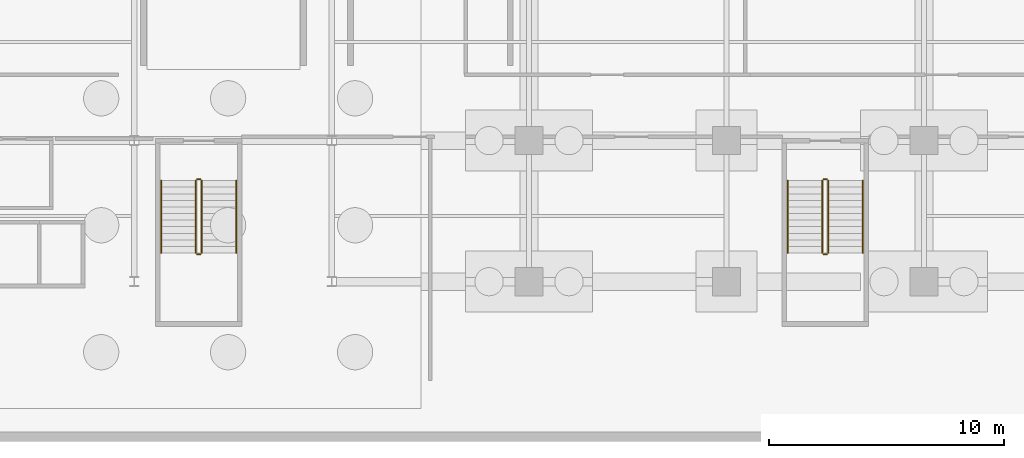
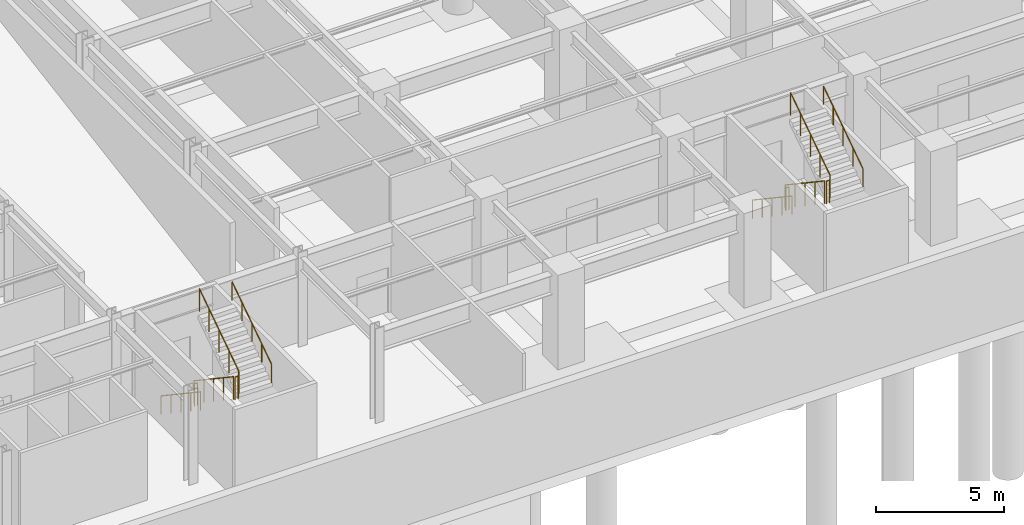
# One storey, part 13 of 14: 12 railings.
"""IFC4 building model written with IfcOpenShell, lengths in metres."""

from ifc_helpers import new_model, si_unit, direction, frame, origin, origin_2d, place, context, subcontext, project, spatial, circle, extrude, material, type_object, element, save


model = new_model("IFC4")

# Units and contexts
model_context = context("Model", 3, precision=1e-05, world=origin(), true_north=direction((0.0, 1.0)))
body_context = subcontext(model_context, "Body", "Model", "MODEL_VIEW")
ifc_project = project(units=[si_unit("LENGTHUNIT", "METRE"), si_unit("AREAUNIT", "SQUARE_METRE"), si_unit("VOLUMEUNIT", "CUBIC_METRE"), si_unit("PLANEANGLEUNIT", "RADIAN"), si_unit("MASSUNIT", "GRAM", prefix="KILO")], contexts=[model_context])

# Site, building, storey
site_placement = place(None, origin())
site = spatial("IfcSite", under=ifc_project, at=site_placement, CompositionType="ELEMENT")
building_placement = place(site_placement, origin())
building = spatial("IfcBuilding", under=site, at=building_placement, Name="Varnakote Quay Hospital", CompositionType="ELEMENT")
storey_placement = place(building_placement, frame((0.0, 0.0, -9.0)))
storey = spatial("IfcBuildingStorey", under=building, at=storey_placement, Name="B02", CompositionType="ELEMENT", Elevation=-9.0)

# Railings
ifc_material_1 = material(Name="Brushed stainless steel balustrade", Category="steel")
railing_type_1 = type_object("IfcRailingType", Name="RLG-STAIR-GUARD-1150", PredefinedType="GUARDRAIL", material=ifc_material_1)
railing_1_placement = place(storey_placement, frame((44.6298828125, 10.300048828125, 0.1875)))
element("IfcRailing", 1, at=railing_1_placement, inside=storey, type_object=railing_type_1, Name="B02 ST-03 stair guard 1", PredefinedType="GUARDRAIL", context=body_context, shape_type="SweptSolid", body=[
    extrude(circle(Radius=0.02392578125, at=origin_2d()), frame((0.0, 0.0, 1.076171875), z_axis=(0.0, -0.830913701846, 0.55640131208), x_axis=(1.0, 0.0, 0.0)), (0.0, 0.0, 1.0), 3.706787109375),
    extrude(circle(Radius=0.02099609375, at=origin_2d()), origin(), (0.0, 0.0, 1.0), 1.052001953125),
    extrude(circle(Radius=0.02099609375, at=origin_2d()), frame((0.0, -0.77001953125, 0.515625)), (0.0, 0.0, 1.0), 1.052001953125),
    extrude(circle(Radius=0.02099609375, at=origin_2d()), frame((0.0, -1.5400390625, 1.03125)), (0.0, 0.0, 1.0), 1.052001953125),
    extrude(circle(Radius=0.02099609375, at=origin_2d()), frame((0.0, -2.31005859375, 1.546875)), (0.0, 0.0, 1.0), 1.052001953125),
    extrude(circle(Radius=0.02099609375, at=origin_2d()), frame((0.0, -3.080078125, 2.0625)), (0.0, 0.0, 1.0), 1.052001953125),
])
railing_2_placement = place(storey_placement, frame((44.679931640625, 7.169921875, 2.25)))
element("IfcRailing", 2, at=railing_2_placement, inside=storey, type_object=railing_type_1, Name="B02 ST-03 stair guard 2", PredefinedType="GUARDRAIL", context=body_context, shape_type="SweptSolid", body=[
    extrude(circle(Radius=0.02392578125, at=origin_2d()), frame((0.0, 0.0, 1.076171875), z_axis=(1.0, 0.0, 0.0), x_axis=(0.0, 1.0, 0.0)), (0.0, 0.0, 1.0), 0.14013671875),
    extrude(circle(Radius=0.02099609375, at=origin_2d()), origin(), (0.0, 0.0, 1.0), 1.052001953125),
    extrude(circle(Radius=0.02099609375, at=origin_2d()), frame((0.14013671875, 0.0, 0.0)), (0.0, 0.0, 1.0), 1.052001953125),
])
railing_3_placement = place(storey_placement, frame((44.8701171875, 7.219970703125, 2.4375)))
element("IfcRailing", 3, at=railing_3_placement, inside=storey, type_object=railing_type_1, Name="B02 ST-03 stair guard 3", PredefinedType="GUARDRAIL", context=body_context, shape_type="SweptSolid", body=[
    extrude(circle(Radius=0.02392578125, at=origin_2d()), frame((0.0, 0.0, 1.076171875), z_axis=(0.0, 0.830913701846, 0.55640131208), x_axis=(-1.0, 0.0, 0.0)), (0.0, 0.0, 1.0), 3.706787109375),
    extrude(circle(Radius=0.02099609375, at=origin_2d()), origin(), (0.0, 0.0, 1.0), 1.052001953125),
    extrude(circle(Radius=0.02099609375, at=origin_2d()), frame((0.0, 0.77001953125, 0.515625)), (0.0, 0.0, 1.0), 1.052001953125),
    extrude(circle(Radius=0.02099609375, at=origin_2d()), frame((0.0, 1.5400390625, 1.03125)), (0.0, 0.0, 1.0), 1.052001953125),
    extrude(circle(Radius=0.02099609375, at=origin_2d()), frame((0.0, 2.31005859375, 1.546875)), (0.0, 0.0, 1.0), 1.052001953125),
    extrude(circle(Radius=0.02099609375, at=origin_2d()), frame((0.0, 3.080078125, 2.0625)), (0.0, 0.0, 1.0), 1.052001953125),
])
railing_4_placement = place(storey_placement, frame((44.679931640625, 10.35009765625, 0.0)))
element("IfcRailing", 4, at=railing_4_placement, inside=storey, type_object=railing_type_1, Name="B02 ST-03 stair guard 4", PredefinedType="GUARDRAIL", context=body_context, shape_type="SweptSolid", body=[
    extrude(circle(Radius=0.02392578125, at=origin_2d()), frame((0.0, 0.0, 1.076171875), z_axis=(1.0, 0.0, 0.0), x_axis=(0.0, 1.0, 0.0)), (0.0, 0.0, 1.0), 0.14013671875),
    extrude(circle(Radius=0.02099609375, at=origin_2d()), origin(), (0.0, 0.0, 1.0), 1.052001953125),
    extrude(circle(Radius=0.02099609375, at=origin_2d()), frame((0.14013671875, 0.0, 0.0)), (0.0, 0.0, 1.0), 1.052001953125),
])
railing_5_placement = place(storey_placement, frame((71.280029296875, 10.300048828125, 0.1875)))
element("IfcRailing", 5, at=railing_5_placement, inside=storey, type_object=railing_type_1, Name="B02 ST-06 stair guard 1", PredefinedType="GUARDRAIL", context=body_context, shape_type="SweptSolid", body=[
    extrude(circle(Radius=0.02392578125, at=origin_2d()), frame((0.0, 0.0, 1.076171875), z_axis=(0.0, -0.830913701846, 0.55640131208), x_axis=(1.0, 0.0, 0.0)), (0.0, 0.0, 1.0), 3.706787109375),
    extrude(circle(Radius=0.02099609375, at=origin_2d()), origin(), (0.0, 0.0, 1.0), 1.052001953125),
    extrude(circle(Radius=0.02099609375, at=origin_2d()), frame((0.0, -0.77001953125, 0.515625)), (0.0, 0.0, 1.0), 1.052001953125),
    extrude(circle(Radius=0.02099609375, at=origin_2d()), frame((0.0, -1.5400390625, 1.03125)), (0.0, 0.0, 1.0), 1.052001953125),
    extrude(circle(Radius=0.02099609375, at=origin_2d()), frame((0.0, -2.31005859375, 1.546875)), (0.0, 0.0, 1.0), 1.052001953125),
    extrude(circle(Radius=0.02099609375, at=origin_2d()), frame((0.0, -3.080078125, 2.0625)), (0.0, 0.0, 1.0), 1.052001953125),
])
railing_6_placement = place(storey_placement, frame((71.330078125, 7.169921875, 2.25)))
element("IfcRailing", 6, at=railing_6_placement, inside=storey, type_object=railing_type_1, Name="B02 ST-06 stair guard 2", PredefinedType="GUARDRAIL", context=body_context, shape_type="SweptSolid", body=[
    extrude(circle(Radius=0.02392578125, at=origin_2d()), frame((0.0, 0.0, 1.076171875), z_axis=(1.0, 0.0, 0.0), x_axis=(0.0, 1.0, 0.0)), (0.0, 0.0, 1.0), 0.139892578125),
    extrude(circle(Radius=0.02099609375, at=origin_2d()), origin(), (0.0, 0.0, 1.0), 1.052001953125),
    extrude(circle(Radius=0.02099609375, at=origin_2d()), frame((0.139892578125, 0.0, 0.0)), (0.0, 0.0, 1.0), 1.052001953125),
])
railing_7_placement = place(storey_placement, frame((71.52001953125, 7.219970703125, 2.4375)))
element("IfcRailing", 7, at=railing_7_placement, inside=storey, type_object=railing_type_1, Name="B02 ST-06 stair guard 3", PredefinedType="GUARDRAIL", context=body_context, shape_type="SweptSolid", body=[
    extrude(circle(Radius=0.02392578125, at=origin_2d()), frame((0.0, 0.0, 1.076171875), z_axis=(0.0, 0.830913701846, 0.55640131208), x_axis=(-1.0, 0.0, 0.0)), (0.0, 0.0, 1.0), 3.706787109375),
    extrude(circle(Radius=0.02099609375, at=origin_2d()), origin(), (0.0, 0.0, 1.0), 1.052001953125),
    extrude(circle(Radius=0.02099609375, at=origin_2d()), frame((0.0, 0.77001953125, 0.515625)), (0.0, 0.0, 1.0), 1.052001953125),
    extrude(circle(Radius=0.02099609375, at=origin_2d()), frame((0.0, 1.5400390625, 1.03125)), (0.0, 0.0, 1.0), 1.052001953125),
    extrude(circle(Radius=0.02099609375, at=origin_2d()), frame((0.0, 2.31005859375, 1.546875)), (0.0, 0.0, 1.0), 1.052001953125),
    extrude(circle(Radius=0.02099609375, at=origin_2d()), frame((0.0, 3.080078125, 2.0625)), (0.0, 0.0, 1.0), 1.052001953125),
])
railing_8_placement = place(storey_placement, frame((71.330078125, 10.35009765625, 0.0)))
element("IfcRailing", 8, at=railing_8_placement, inside=storey, type_object=railing_type_1, Name="B02 ST-06 stair guard 4", PredefinedType="GUARDRAIL", context=body_context, shape_type="SweptSolid", body=[
    extrude(circle(Radius=0.02392578125, at=origin_2d()), frame((0.0, 0.0, 1.076171875), z_axis=(1.0, 0.0, 0.0), x_axis=(0.0, 1.0, 0.0)), (0.0, 0.0, 1.0), 0.139892578125),
    extrude(circle(Radius=0.02099609375, at=origin_2d()), origin(), (0.0, 0.0, 1.0), 1.052001953125),
    extrude(circle(Radius=0.02099609375, at=origin_2d()), frame((0.139892578125, 0.0, 0.0)), (0.0, 0.0, 1.0), 1.052001953125),
])
ifc_material_2 = material(Name="Brushed stainless steel handrail", Category="steel")
railing_type_2 = type_object("IfcRailingType", Name="RLG-STAIR-HND-920", PredefinedType="HANDRAIL", material=ifc_material_2)
railing_9_placement = place(storey_placement, frame((43.14990234375, 10.300048828125, 0.1875)))
element("IfcRailing", 9, at=railing_9_placement, inside=storey, type_object=railing_type_2, Name="B02 ST-03 stair handrail 1", PredefinedType="HANDRAIL", context=body_context, shape_type="SweptSolid", body=[
    extrude(circle(Radius=0.02392578125, at=origin_2d()), frame((0.0, 0.0, 0.8759765625), z_axis=(0.0, -0.830913701846, 0.55640131208), x_axis=(1.0, 0.0, 0.0)), (0.0, 0.0, 1.0), 3.706787109375),
    extrude(circle(Radius=0.02099609375, at=origin_2d()), origin(), (0.0, 0.0, 1.0), 0.851806640625),
    extrude(circle(Radius=0.02099609375, at=origin_2d()), frame((0.0, -0.77001953125, 0.515625)), (0.0, 0.0, 1.0), 0.851806640625),
    extrude(circle(Radius=0.02099609375, at=origin_2d()), frame((0.0, -1.5400390625, 1.03125)), (0.0, 0.0, 1.0), 0.851806640625),
    extrude(circle(Radius=0.02099609375, at=origin_2d()), frame((0.0, -2.31005859375, 1.546875)), (0.0, 0.0, 1.0), 0.851806640625),
    extrude(circle(Radius=0.02099609375, at=origin_2d()), frame((0.0, -3.080078125, 2.0625)), (0.0, 0.0, 1.0), 0.851806640625),
])
railing_10_placement = place(storey_placement, frame((46.35009765625, 7.219970703125, 2.4375)))
element("IfcRailing", 10, at=railing_10_placement, inside=storey, type_object=railing_type_2, Name="B02 ST-03 stair handrail 2", PredefinedType="HANDRAIL", context=body_context, shape_type="SweptSolid", body=[
    extrude(circle(Radius=0.02392578125, at=origin_2d()), frame((0.0, 0.0, 0.8759765625), z_axis=(0.0, 0.830913701846, 0.55640131208), x_axis=(-1.0, 0.0, 0.0)), (0.0, 0.0, 1.0), 3.706787109375),
    extrude(circle(Radius=0.02099609375, at=origin_2d()), origin(), (0.0, 0.0, 1.0), 0.851806640625),
    extrude(circle(Radius=0.02099609375, at=origin_2d()), frame((0.0, 0.77001953125, 0.515625)), (0.0, 0.0, 1.0), 0.851806640625),
    extrude(circle(Radius=0.02099609375, at=origin_2d()), frame((0.0, 1.5400390625, 1.03125)), (0.0, 0.0, 1.0), 0.851806640625),
    extrude(circle(Radius=0.02099609375, at=origin_2d()), frame((0.0, 2.31005859375, 1.546875)), (0.0, 0.0, 1.0), 0.851806640625),
    extrude(circle(Radius=0.02099609375, at=origin_2d()), frame((0.0, 3.080078125, 2.0625)), (0.0, 0.0, 1.0), 0.851806640625),
])
railing_11_placement = place(storey_placement, frame((69.800048828125, 10.300048828125, 0.1875)))
element("IfcRailing", 11, at=railing_11_placement, inside=storey, type_object=railing_type_2, Name="B02 ST-06 stair handrail 1", PredefinedType="HANDRAIL", context=body_context, shape_type="SweptSolid", body=[
    extrude(circle(Radius=0.02392578125, at=origin_2d()), frame((0.0, 0.0, 0.8759765625), z_axis=(0.0, -0.830913701846, 0.55640131208), x_axis=(1.0, 0.0, 0.0)), (0.0, 0.0, 1.0), 3.706787109375),
    extrude(circle(Radius=0.02099609375, at=origin_2d()), origin(), (0.0, 0.0, 1.0), 0.851806640625),
    extrude(circle(Radius=0.02099609375, at=origin_2d()), frame((0.0, -0.77001953125, 0.515625)), (0.0, 0.0, 1.0), 0.851806640625),
    extrude(circle(Radius=0.02099609375, at=origin_2d()), frame((0.0, -1.5400390625, 1.03125)), (0.0, 0.0, 1.0), 0.851806640625),
    extrude(circle(Radius=0.02099609375, at=origin_2d()), frame((0.0, -2.31005859375, 1.546875)), (0.0, 0.0, 1.0), 0.851806640625),
    extrude(circle(Radius=0.02099609375, at=origin_2d()), frame((0.0, -3.080078125, 2.0625)), (0.0, 0.0, 1.0), 0.851806640625),
])
railing_12_placement = place(storey_placement, frame((73.0, 7.219970703125, 2.4375)))
element("IfcRailing", 12, at=railing_12_placement, inside=storey, type_object=railing_type_2, Name="B02 ST-06 stair handrail 2", PredefinedType="HANDRAIL", context=body_context, shape_type="SweptSolid", body=[
    extrude(circle(Radius=0.02392578125, at=origin_2d()), frame((0.0, 0.0, 0.8759765625), z_axis=(0.0, 0.830913701846, 0.55640131208), x_axis=(-1.0, 0.0, 0.0)), (0.0, 0.0, 1.0), 3.706787109375),
    extrude(circle(Radius=0.02099609375, at=origin_2d()), origin(), (0.0, 0.0, 1.0), 0.851806640625),
    extrude(circle(Radius=0.02099609375, at=origin_2d()), frame((0.0, 0.77001953125, 0.515625)), (0.0, 0.0, 1.0), 0.851806640625),
    extrude(circle(Radius=0.02099609375, at=origin_2d()), frame((0.0, 1.5400390625, 1.03125)), (0.0, 0.0, 1.0), 0.851806640625),
    extrude(circle(Radius=0.02099609375, at=origin_2d()), frame((0.0, 2.31005859375, 1.546875)), (0.0, 0.0, 1.0), 0.851806640625),
    extrude(circle(Radius=0.02099609375, at=origin_2d()), frame((0.0, 3.080078125, 2.0625)), (0.0, 0.0, 1.0), 0.851806640625),
])

save(model, "model.ifc")
